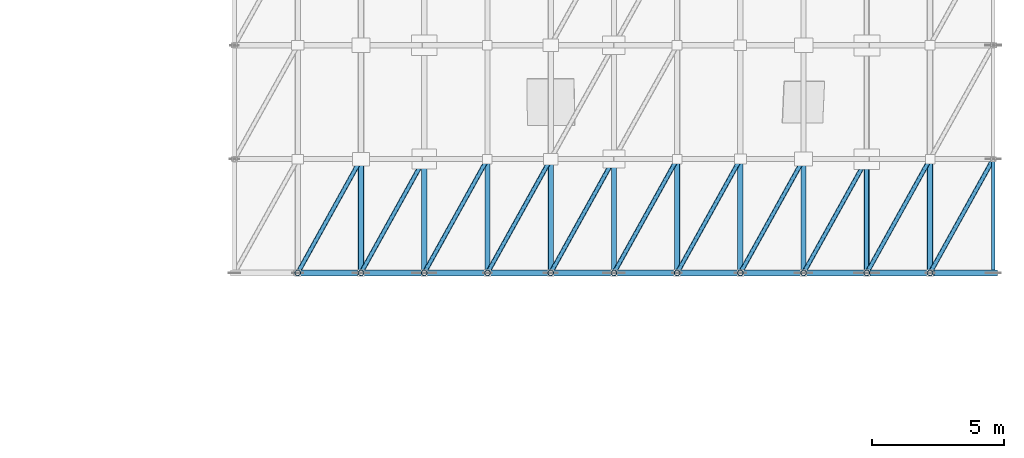
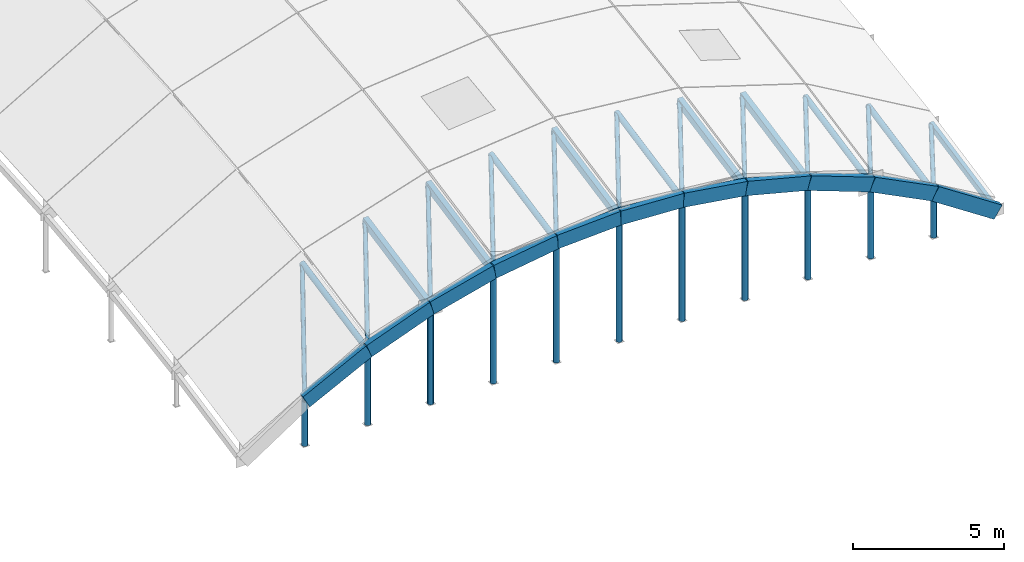
# One storey, part 9 of 35: 44 members.
"""IFC4 building model written with IfcOpenShell, lengths in metres."""

from ifc_helpers import new_model, si_unit, direction, frame, origin, origin_2d, place, context, subcontext, project, spatial, rectangle, hollow_rectangle, hollow_circle, extrude, material, material_profile, profile_set, type_object, element, save


model = new_model("IFC4")

# Units and contexts
model_context = context("Model", 3, precision=1e-05, world=origin(), true_north=direction((0.0, 1.0)))
body_context = subcontext(model_context, "Body", "Model", "MODEL_VIEW")
ifc_project = project(units=[si_unit("LENGTHUNIT", "METRE"), si_unit("AREAUNIT", "SQUARE_METRE"), si_unit("VOLUMEUNIT", "CUBIC_METRE"), si_unit("PLANEANGLEUNIT", "RADIAN"), si_unit("MASSUNIT", "GRAM", prefix="KILO")], contexts=[model_context])

# Site, building, storey
site_placement = place(None, origin())
site = spatial("IfcSite", under=ifc_project, at=site_placement, CompositionType="ELEMENT")
building_placement = place(site_placement, origin())
building = spatial("IfcBuilding", under=site, at=building_placement, Name="Zarrinpeak Specialist Clinic", CompositionType="ELEMENT")
storey_placement = place(building_placement, frame((0.0, 0.0, 31.60009765625)))
storey = spatial("IfcBuildingStorey", under=building, at=storey_placement, Name="RF", CompositionType="ELEMENT", Elevation=31.60009765625)

# Members
ifc_material_1 = material(Name="Steel S355", Category="steel")
ifc_material_profile_1 = material_profile(ifc_material_1, hollow_circle(Radius=0.084228515625, WallThickness=0.008056640625, at=origin_2d()), Name="CHS 168.3x8.0")
ifc_profile_set_1 = profile_set([ifc_material_profile_1], Name="Steel S355")
member_type_1 = type_object("IfcMemberType", Name="MB-BR168", PredefinedType="BRACE", material=ifc_profile_set_1)
member_1_placement = place(storey_placement, frame((96.0, 28.800048828125, -16.015380859375), z_axis=(0.44773218823, 0.805963486342, 0.387245072669), x_axis=(-0.874168927292, 0.485621958479, 0.0)))
element("IfcMember", 1, at=member_1_placement, inside=storey, type_object=member_type_1, Name="V3 Gridshell Diagonal Brace GS-DIAG-011", PredefinedType="BRACE", context=body_context, shape_type="SweptSolid", body=[
    extrude(hollow_circle(Radius=0.084228515625, WallThickness=0.008056640625, at=origin_2d()), origin(), (0.0, 0.0, 1.0), 5.360107421875),
])
member_2_placement = place(storey_placement, frame((98.39990234375, 28.800048828125, -14.8037109375), z_axis=(0.457448279603, 0.823369678322, 0.335862240075), x_axis=(-0.874147955046, 0.485659708735, 0.0)))
element("IfcMember", 2, at=member_2_placement, inside=storey, type_object=member_type_1, Name="V3 Gridshell Diagonal Brace GS-DIAG-015", PredefinedType="BRACE", context=body_context, shape_type="SweptSolid", body=[
    extrude(hollow_circle(Radius=0.084228515625, WallThickness=0.008056640625, at=origin_2d()), origin(), (0.0, 0.0, 1.0), 5.246826171875),
])
member_3_placement = place(storey_placement, frame((100.800048828125, 28.800048828125, -13.905517578125), z_axis=(0.465088480955, 0.837206578891, 0.287711399053), x_axis=(-0.874168927292, 0.485621958479, 0.0)))
element("IfcMember", 3, at=member_3_placement, inside=storey, type_object=member_type_1, Name="V3 Gridshell Diagonal Brace GS-DIAG-019", PredefinedType="BRACE", context=body_context, shape_type="SweptSolid", body=[
    extrude(hollow_circle(Radius=0.084228515625, WallThickness=0.008056640625, at=origin_2d()), origin(), (0.0, 0.0, 1.0), 5.16015625),
])
member_4_placement = place(storey_placement, frame((103.199951171875, 28.800048828125, -13.284912109375), z_axis=(0.471315620501, 0.848329763479, 0.241243027399), x_axis=(-0.874147955046, 0.485659708735, 0.0)))
element("IfcMember", 4, at=member_4_placement, inside=storey, type_object=member_type_1, Name="V3 Gridshell Diagonal Brace GS-DIAG-023", PredefinedType="BRACE", context=body_context, shape_type="SweptSolid", body=[
    extrude(hollow_circle(Radius=0.084228515625, WallThickness=0.008056640625, at=origin_2d()), origin(), (0.0, 0.0, 1.0), 5.092529296875),
])
member_5_placement = place(storey_placement, frame((105.60009765625, 28.800048828125, -12.92041015625), z_axis=(0.476265643705, 0.857326608887, 0.19535127929), x_axis=(-0.874168927292, 0.485621958479, 0.0)))
element("IfcMember", 5, at=member_5_placement, inside=storey, type_object=member_type_1, Name="V3 Gridshell Diagonal Brace GS-DIAG-027", PredefinedType="BRACE", context=body_context, shape_type="SweptSolid", body=[
    extrude(hollow_circle(Radius=0.084228515625, WallThickness=0.008056640625, at=origin_2d()), origin(), (0.0, 0.0, 1.0), 5.0390625),
])
member_6_placement = place(storey_placement, frame((108.0, 28.800048828125, -12.800048828125), z_axis=(0.480215440931, 0.864436645704, 0.148803279051), x_axis=(-0.874168927292, 0.485621958479, 0.0)))
element("IfcMember", 6, at=member_6_placement, inside=storey, type_object=member_type_1, Name="V3 Gridshell Diagonal Brace GS-DIAG-037", PredefinedType="BRACE", context=body_context, shape_type="SweptSolid", body=[
    extrude(hollow_circle(Radius=0.084228515625, WallThickness=0.008056640625, at=origin_2d()), origin(), (0.0, 0.0, 1.0), 4.99755859375),
])
member_7_placement = place(storey_placement, frame((110.39990234375, 28.800048828125, -12.92041015625), z_axis=(0.483197810944, 0.869716739361, 0.100561765964), x_axis=(-0.874147955046, 0.485659708735, 0.0)))
element("IfcMember", 7, at=member_7_placement, inside=storey, type_object=member_type_1, Name="V3 Gridshell Diagonal Brace GS-DIAG-047", PredefinedType="BRACE", context=body_context, shape_type="SweptSolid", body=[
    extrude(hollow_circle(Radius=0.084228515625, WallThickness=0.008056640625, at=origin_2d()), origin(), (0.0, 0.0, 1.0), 4.96728515625),
])
member_8_placement = place(storey_placement, frame((112.800048828125, 28.800048828125, -13.284912109375), z_axis=(0.485033983383, 0.873110512305, 0.049194189362), x_axis=(-0.874168927292, 0.485621958479, 0.0)))
element("IfcMember", 8, at=member_8_placement, inside=storey, type_object=member_type_1, Name="V3 Gridshell Diagonal Brace GS-DIAG-051", PredefinedType="BRACE", context=body_context, shape_type="SweptSolid", body=[
    extrude(hollow_circle(Radius=0.084228515625, WallThickness=0.008056640625, at=origin_2d()), origin(), (0.0, 0.0, 1.0), 4.947998046875),
])
member_9_placement = place(storey_placement, frame((115.199951171875, 28.800048828125, -13.905517578125), z_axis=(0.485648093946, 0.874127049371, -0.00691595292), x_axis=(-0.874147955046, 0.485659708735, 0.0)))
element("IfcMember", 9, at=member_9_placement, inside=storey, type_object=member_type_1, Name="V3 Gridshell Diagonal Brace GS-DIAG-055", PredefinedType="BRACE", context=body_context, shape_type="SweptSolid", body=[
    extrude(hollow_circle(Radius=0.084228515625, WallThickness=0.008056640625, at=origin_2d()), origin(), (0.0, 0.0, 1.0), 4.942138671875),
])
member_10_placement = place(storey_placement, frame((117.60009765625, 28.800048828125, -14.8037109375), z_axis=(0.484423074732, 0.872010814586, -0.070224097812), x_axis=(-0.874168927292, 0.485621958479, 0.0)))
element("IfcMember", 10, at=member_10_placement, inside=storey, type_object=member_type_1, Name="V3 Gridshell Diagonal Brace GS-DIAG-059", PredefinedType="BRACE", context=body_context, shape_type="SweptSolid", body=[
    extrude(hollow_circle(Radius=0.084228515625, WallThickness=0.008056640625, at=origin_2d()), origin(), (0.0, 0.0, 1.0), 4.9541015625),
])
member_11_placement = place(storey_placement, frame((120.0, 28.800048828125, -16.015380859375), z_axis=(0.480538844038, 0.865018804197, -0.144308307996), x_axis=(-0.874168927292, 0.485621958479, 0.0)))
element("IfcMember", 11, at=member_11_placement, inside=storey, type_object=member_type_1, Name="V3 Gridshell Diagonal Brace GS-DIAG-063", PredefinedType="BRACE", context=body_context, shape_type="SweptSolid", body=[
    extrude(hollow_circle(Radius=0.084228515625, WallThickness=0.008056640625, at=origin_2d()), origin(), (0.0, 0.0, 1.0), 4.994140625),
])
ifc_material_profile_2 = material_profile(ifc_material_1, hollow_circle(Radius=0.109619140625, WallThickness=0.010009765625, at=origin_2d()), Name="CHS 219.1x10.0")
ifc_profile_set_2 = profile_set([ifc_material_profile_2], Name="Steel S355")
member_type_2 = type_object("IfcMemberType", Name="MB-GS-CH219", PredefinedType="USERDEFINED", material=ifc_profile_set_2)
for number, where, z_axis, x_axis, name in (
    (12, (98.39990234375, 28.800048828125, -14.8037109375), (0.0, 0.980580675691, 0.196116135138), (-1.0, 0.0, 0.0), "V3 Translational Gridshell Vault Steel Chord I02-J00"),
    (13, (105.60009765625, 28.800048828125, -12.92041015625), (0.0, 0.980580675691, 0.196116135138), (-1.0, 0.0, 0.0), "V3 Translational Gridshell Vault Steel Chord I05-J00"),
    (14, (110.39990234375, 28.800048828125, -12.92041015625), (0.0, 0.980580675691, 0.196116135138), (-1.0, 0.0, 0.0), "V3 Translational Gridshell Vault Steel Chord I07-J00"),
    (15, (117.60009765625, 28.800048828125, -14.8037109375), (0.0, 0.980580675691, 0.196116135138), (-1.0, 0.0, 0.0), "V3 Translational Gridshell Vault Steel Chord I10-J00"),
    (16, (120.0, 28.800048828125, -16.015380859375), (0.0, 0.980591331223, 0.19606284995), (-1.0, 0.0, 0.0), "V3 Translational Gridshell Vault Steel Chord I11-J00"),
):
    element("IfcMember", number, at=place(storey_placement, frame(where, z_axis=z_axis, x_axis=x_axis)), inside=storey, type_object=member_type_2, Name=name, ObjectType="ARCH_SEGMENT", PredefinedType="USERDEFINED", context=body_context, shape_type="SweptSolid", body=[
        extrude(hollow_circle(Radius=0.109619140625, WallThickness=0.010009765625, at=origin_2d()), origin(), (0.0, 0.0, 1.0), 4.405517578125),
    ])
ifc_material_2 = material(Name="Glulam GL28h", Category="wood")
ifc_material_profile_3 = material_profile(ifc_material_2, rectangle(XDim=0.219970703125, YDim=0.56005859375, at=origin_2d()), Name="GL28h 220x560")
ifc_profile_set_3 = profile_set([ifc_material_profile_3], Name="Glulam GL28h")
member_type_3 = type_object("IfcMemberType", Name="MB-GS-GL560", PredefinedType="USERDEFINED", material=ifc_profile_set_3)
member_12_placement = place(storey_placement, frame((96.0, 28.800048828125, -16.015380859375), z_axis=(0.892676812819, 0.0, 0.450697357276), x_axis=(0.0, 1.0, 0.0)))
element("IfcMember", 17, at=member_12_placement, inside=storey, type_object=member_type_3, Name="V3 Translational Gridshell Vault Glulam Arch Rib J00-01", ObjectType="ARCH_SEGMENT", PredefinedType="USERDEFINED", context=body_context, shape_type="SweptSolid", body=[
    extrude(rectangle(XDim=0.219970703125, YDim=0.56005859375, at=origin_2d()), origin(), (0.0, 0.0, 1.0), 2.6884765625),
])
member_13_placement = place(storey_placement, frame((98.39990234375, 28.800048828125, -14.8037109375), z_axis=(0.936567780468, 0.0, 0.350486508427), x_axis=(0.0, 1.0, 0.0)))
element("IfcMember", 18, at=member_13_placement, inside=storey, type_object=member_type_3, Name="V3 Translational Gridshell Vault Glulam Arch Rib J00-02", ObjectType="ARCH_SEGMENT", PredefinedType="USERDEFINED", context=body_context, shape_type="SweptSolid", body=[
    extrude(rectangle(XDim=0.219970703125, YDim=0.56005859375, at=origin_2d()), origin(), (0.0, 0.0, 1.0), 2.562744140625),
])
member_14_placement = place(storey_placement, frame((100.800048828125, 28.800048828125, -13.905517578125), z_axis=(0.96815267419, 0.0, 0.250360538941), x_axis=(0.0, 1.0, 0.0)))
element("IfcMember", 19, at=member_14_placement, inside=storey, type_object=member_type_3, Name="V3 Translational Gridshell Vault Glulam Arch Rib J00-03", ObjectType="ARCH_SEGMENT", PredefinedType="USERDEFINED", context=body_context, shape_type="SweptSolid", body=[
    extrude(rectangle(XDim=0.219970703125, YDim=0.56005859375, at=origin_2d()), origin(), (0.0, 0.0, 1.0), 2.478759765625),
])
member_15_placement = place(storey_placement, frame((103.199951171875, 28.800048828125, -13.284912109375), z_axis=(0.988663989346, 0.0, 0.150144983836), x_axis=(0.0, 1.0, 0.0)))
element("IfcMember", 20, at=member_15_placement, inside=storey, type_object=member_type_3, Name="V3 Translational Gridshell Vault Glulam Arch Rib J00-04", ObjectType="ARCH_SEGMENT", PredefinedType="USERDEFINED", context=body_context, shape_type="SweptSolid", body=[
    extrude(rectangle(XDim=0.219970703125, YDim=0.56005859375, at=origin_2d()), origin(), (0.0, 0.0, 1.0), 2.427734375),
])
for number, where, z_axis, x_axis, name in (
    (21, (105.60009765625, 28.800048828125, -12.92041015625), (0.998744726183, 0.0, 0.050089638861), (0.0, 1.0, 0.0), "V3 Translational Gridshell Vault Glulam Arch Rib J00-05"),
    (22, (108.0, 28.800048828125, -12.800048828125), (0.998744726183, 0.0, -0.050089638861), (0.0, 1.0, 0.0), "V3 Translational Gridshell Vault Glulam Arch Rib J00-06"),
):
    element("IfcMember", number, at=place(storey_placement, frame(where, z_axis=z_axis, x_axis=x_axis)), inside=storey, type_object=member_type_3, Name=name, ObjectType="ARCH_SEGMENT", PredefinedType="USERDEFINED", context=body_context, shape_type="SweptSolid", body=[
        extrude(rectangle(XDim=0.219970703125, YDim=0.56005859375, at=origin_2d()), origin(), (0.0, 0.0, 1.0), 2.40283203125),
    ])
member_16_placement = place(storey_placement, frame((110.39990234375, 28.800048828125, -12.92041015625), z_axis=(0.988663989346, 0.0, -0.150144983836), x_axis=(0.0, 1.0, 0.0)))
element("IfcMember", 23, at=member_16_placement, inside=storey, type_object=member_type_3, Name="V3 Translational Gridshell Vault Glulam Arch Rib J00-07", ObjectType="ARCH_SEGMENT", PredefinedType="USERDEFINED", context=body_context, shape_type="SweptSolid", body=[
    extrude(rectangle(XDim=0.219970703125, YDim=0.56005859375, at=origin_2d()), origin(), (0.0, 0.0, 1.0), 2.427734375),
])
member_17_placement = place(storey_placement, frame((112.800048828125, 28.800048828125, -13.284912109375), z_axis=(0.96815267419, 0.0, -0.250360538941), x_axis=(0.0, 1.0, 0.0)))
element("IfcMember", 24, at=member_17_placement, inside=storey, type_object=member_type_3, Name="V3 Translational Gridshell Vault Glulam Arch Rib J00-08", ObjectType="ARCH_SEGMENT", PredefinedType="USERDEFINED", context=body_context, shape_type="SweptSolid", body=[
    extrude(rectangle(XDim=0.219970703125, YDim=0.56005859375, at=origin_2d()), origin(), (0.0, 0.0, 1.0), 2.478759765625),
])
member_18_placement = place(storey_placement, frame((115.199951171875, 28.800048828125, -13.905517578125), z_axis=(0.936567780468, 0.0, -0.350486508427), x_axis=(0.0, 1.0, 0.0)))
element("IfcMember", 25, at=member_18_placement, inside=storey, type_object=member_type_3, Name="V3 Translational Gridshell Vault Glulam Arch Rib J00-09", ObjectType="ARCH_SEGMENT", PredefinedType="USERDEFINED", context=body_context, shape_type="SweptSolid", body=[
    extrude(rectangle(XDim=0.219970703125, YDim=0.56005859375, at=origin_2d()), origin(), (0.0, 0.0, 1.0), 2.562744140625),
])
member_19_placement = place(storey_placement, frame((117.60009765625, 28.800048828125, -14.8037109375), z_axis=(0.892676812819, 0.0, -0.450697357276), x_axis=(0.0, 1.0, 0.0)))
element("IfcMember", 26, at=member_19_placement, inside=storey, type_object=member_type_3, Name="V3 Translational Gridshell Vault Glulam Arch Rib J00-10", ObjectType="ARCH_SEGMENT", PredefinedType="USERDEFINED", context=body_context, shape_type="SweptSolid", body=[
    extrude(rectangle(XDim=0.219970703125, YDim=0.56005859375, at=origin_2d()), origin(), (0.0, 0.0, 1.0), 2.6884765625),
])
member_20_placement = place(storey_placement, frame((120.0, 28.800048828125, -16.015380859375), z_axis=(0.834484495814, 0.0, -0.55103142038), x_axis=(0.0, 1.0, 0.0)))
element("IfcMember", 27, at=member_20_placement, inside=storey, type_object=member_type_3, Name="V3 Translational Gridshell Vault Glulam Arch Rib J00-11", ObjectType="ARCH_SEGMENT", PredefinedType="USERDEFINED", context=body_context, shape_type="SweptSolid", body=[
    extrude(rectangle(XDim=0.219970703125, YDim=0.56005859375, at=origin_2d()), origin(), (0.0, 0.0, 1.0), 2.8759765625),
])
ifc_material_profile_4 = material_profile(ifc_material_1, hollow_rectangle(XDim=0.14990234375, YDim=0.25, WallThickness=0.010009765625, at=origin_2d()), Name="RHS 250x150x10.0")
ifc_profile_set_4 = profile_set([ifc_material_profile_4], Name="Steel S355")
member_type_4 = type_object("IfcMemberType", Name="MB-GS-RH250", PredefinedType="USERDEFINED", material=ifc_profile_set_4)
member_21_placement = place(storey_placement, frame((122.39990234375, 28.800048828125, -17.60009765625), z_axis=(0.0, 0.980580675691, 0.196116135138), x_axis=(-1.0, 0.0, 0.0)))
element("IfcMember", 28, at=member_21_placement, inside=storey, type_object=member_type_4, Name="V3 Translational Gridshell Vault Steel Chord I12-J00", ObjectType="ARCH_SEGMENT", PredefinedType="USERDEFINED", context=body_context, shape_type="SweptSolid", body=[
    extrude(hollow_rectangle(XDim=0.14990234375, YDim=0.25, WallThickness=0.010009765625, at=origin_2d()), origin(), (0.0, 0.0, 1.0), 4.405517578125),
])
ifc_material_profile_5 = material_profile(ifc_material_1, hollow_rectangle(XDim=0.199951171875, YDim=0.300048828125, WallThickness=0.012451171875, at=origin_2d()), Name="RHS 300x200x12.5")
ifc_profile_set_5 = profile_set([ifc_material_profile_5], Name="Steel S355")
member_type_5 = type_object("IfcMemberType", Name="MB-GS-RH300", PredefinedType="USERDEFINED", material=ifc_profile_set_5)
for number, where, z_axis, x_axis, name in (
    (29, (100.800048828125, 28.800048828125, -13.905517578125), (0.0, 0.980580675691, 0.196116135138), (-1.0, 0.0, 0.0), "V3 Translational Gridshell Vault Steel Chord I03-J00"),
    (30, (103.199951171875, 28.800048828125, -13.284912109375), (0.0, 0.980580675691, 0.196116135138), (-1.0, 0.0, 0.0), "V3 Translational Gridshell Vault Steel Chord I04-J00"),
    (31, (108.0, 28.800048828125, -12.800048828125), (0.0, 0.980580675691, 0.196116135138), (-1.0, 0.0, 0.0), "V3 Translational Gridshell Vault Steel Chord I06-J00"),
    (32, (112.800048828125, 28.800048828125, -13.284912109375), (0.0, 0.980580675691, 0.196116135138), (-1.0, 0.0, 0.0), "V3 Translational Gridshell Vault Steel Chord I08-J00"),
    (33, (115.199951171875, 28.800048828125, -13.905517578125), (0.0, 0.980580675691, 0.196116135138), (-1.0, 0.0, 0.0), "V3 Translational Gridshell Vault Steel Chord I09-J00"),
):
    element("IfcMember", number, at=place(storey_placement, frame(where, z_axis=z_axis, x_axis=x_axis)), inside=storey, type_object=member_type_5, Name=name, ObjectType="ARCH_SEGMENT", PredefinedType="USERDEFINED", context=body_context, shape_type="SweptSolid", body=[
        extrude(hollow_rectangle(XDim=0.199951171875, YDim=0.300048828125, WallThickness=0.012451171875, at=origin_2d()), origin(), (0.0, 0.0, 1.0), 4.405517578125),
    ])
ifc_material_profile_6 = material_profile(ifc_material_1, hollow_circle(Radius=0.109619140625, WallThickness=0.010009765625, at=origin_2d()), Name="CHS 219.1x10.0")
ifc_profile_set_6 = profile_set([ifc_material_profile_6], Name="Steel S355")
member_type_6 = type_object("IfcMemberType", Name="MB-PST219", PredefinedType="BRACE", material=ifc_profile_set_6)
member_22_placement = place(storey_placement, frame((96.0, 28.800048828125, -17.800048828125), z_axis=(0.0, 0.0, 1.0), x_axis=(1.0, 0.0, 0.0)))
element("IfcMember", 34, at=member_22_placement, inside=storey, type_object=member_type_6, Name="V3 Gridshell Gable Arch Mullion Post 0-1", PredefinedType="BRACE", context=body_context, shape_type="SweptSolid", body=[
    extrude(hollow_circle(Radius=0.109619140625, WallThickness=0.010009765625, at=origin_2d()), origin(), (0.0, 0.0, 1.0), 1.78466796875),
])
member_23_placement = place(storey_placement, frame((98.39990234375, 28.800048828125, -17.800048828125), z_axis=(0.0, 0.0, 1.0), x_axis=(1.0, 0.0, 0.0)))
element("IfcMember", 35, at=member_23_placement, inside=storey, type_object=member_type_6, Name="V3 Gridshell Gable Arch Mullion Post 0-2", PredefinedType="BRACE", context=body_context, shape_type="SweptSolid", body=[
    extrude(hollow_circle(Radius=0.109619140625, WallThickness=0.010009765625, at=origin_2d()), origin(), (0.0, 0.0, 1.0), 2.996337890625),
])
member_24_placement = place(storey_placement, frame((100.800048828125, 28.800048828125, -17.800048828125), z_axis=(0.0, 0.0, 1.0), x_axis=(1.0, 0.0, 0.0)))
element("IfcMember", 36, at=member_24_placement, inside=storey, type_object=member_type_6, Name="V3 Gridshell Gable Arch Mullion Post 0-3", PredefinedType="BRACE", context=body_context, shape_type="SweptSolid", body=[
    extrude(hollow_circle(Radius=0.109619140625, WallThickness=0.010009765625, at=origin_2d()), origin(), (0.0, 0.0, 1.0), 3.89453125),
])
member_25_placement = place(storey_placement, frame((103.199951171875, 28.800048828125, -17.800048828125), z_axis=(0.0, 0.0, 1.0), x_axis=(1.0, 0.0, 0.0)))
element("IfcMember", 37, at=member_25_placement, inside=storey, type_object=member_type_6, Name="V3 Gridshell Gable Arch Mullion Post 0-4", PredefinedType="BRACE", context=body_context, shape_type="SweptSolid", body=[
    extrude(hollow_circle(Radius=0.109619140625, WallThickness=0.010009765625, at=origin_2d()), origin(), (0.0, 0.0, 1.0), 4.51513671875),
])
member_26_placement = place(storey_placement, frame((105.60009765625, 28.800048828125, -17.800048828125), z_axis=(0.0, 0.0, 1.0), x_axis=(1.0, 0.0, 0.0)))
element("IfcMember", 38, at=member_26_placement, inside=storey, type_object=member_type_6, Name="V3 Gridshell Gable Arch Mullion Post 0-5", PredefinedType="BRACE", context=body_context, shape_type="SweptSolid", body=[
    extrude(hollow_circle(Radius=0.109619140625, WallThickness=0.010009765625, at=origin_2d()), origin(), (0.0, 0.0, 1.0), 4.879638671875),
])
member_27_placement = place(storey_placement, frame((108.0, 28.800048828125, -17.800048828125), z_axis=(0.0, 0.0, 1.0), x_axis=(1.0, 0.0, 0.0)))
element("IfcMember", 39, at=member_27_placement, inside=storey, type_object=member_type_6, Name="V3 Gridshell Gable Arch Mullion Post 0-6", PredefinedType="BRACE", context=body_context, shape_type="SweptSolid", body=[
    extrude(hollow_circle(Radius=0.109619140625, WallThickness=0.010009765625, at=origin_2d()), origin(), (0.0, 0.0, 1.0), 5.0),
])
member_28_placement = place(storey_placement, frame((110.39990234375, 28.800048828125, -17.800048828125), z_axis=(0.0, 0.0, 1.0), x_axis=(1.0, 0.0, 0.0)))
element("IfcMember", 40, at=member_28_placement, inside=storey, type_object=member_type_6, Name="V3 Gridshell Gable Arch Mullion Post 0-7", PredefinedType="BRACE", context=body_context, shape_type="SweptSolid", body=[
    extrude(hollow_circle(Radius=0.109619140625, WallThickness=0.010009765625, at=origin_2d()), origin(), (0.0, 0.0, 1.0), 4.879638671875),
])
member_29_placement = place(storey_placement, frame((112.800048828125, 28.800048828125, -17.800048828125), z_axis=(0.0, 0.0, 1.0), x_axis=(1.0, 0.0, 0.0)))
element("IfcMember", 41, at=member_29_placement, inside=storey, type_object=member_type_6, Name="V3 Gridshell Gable Arch Mullion Post 0-8", PredefinedType="BRACE", context=body_context, shape_type="SweptSolid", body=[
    extrude(hollow_circle(Radius=0.109619140625, WallThickness=0.010009765625, at=origin_2d()), origin(), (0.0, 0.0, 1.0), 4.51513671875),
])
member_30_placement = place(storey_placement, frame((115.199951171875, 28.800048828125, -17.800048828125), z_axis=(0.0, 0.0, 1.0), x_axis=(1.0, 0.0, 0.0)))
element("IfcMember", 42, at=member_30_placement, inside=storey, type_object=member_type_6, Name="V3 Gridshell Gable Arch Mullion Post 0-9", PredefinedType="BRACE", context=body_context, shape_type="SweptSolid", body=[
    extrude(hollow_circle(Radius=0.109619140625, WallThickness=0.010009765625, at=origin_2d()), origin(), (0.0, 0.0, 1.0), 3.89453125),
])
member_31_placement = place(storey_placement, frame((117.60009765625, 28.800048828125, -17.800048828125), z_axis=(0.0, 0.0, 1.0), x_axis=(1.0, 0.0, 0.0)))
element("IfcMember", 43, at=member_31_placement, inside=storey, type_object=member_type_6, Name="V3 Gridshell Gable Arch Mullion Post 0-10", PredefinedType="BRACE", context=body_context, shape_type="SweptSolid", body=[
    extrude(hollow_circle(Radius=0.109619140625, WallThickness=0.010009765625, at=origin_2d()), origin(), (0.0, 0.0, 1.0), 2.996337890625),
])
member_32_placement = place(storey_placement, frame((120.0, 28.800048828125, -17.800048828125), z_axis=(0.0, 0.0, 1.0), x_axis=(1.0, 0.0, 0.0)))
element("IfcMember", 44, at=member_32_placement, inside=storey, type_object=member_type_6, Name="V3 Gridshell Gable Arch Mullion Post 0-11", PredefinedType="BRACE", context=body_context, shape_type="SweptSolid", body=[
    extrude(hollow_circle(Radius=0.109619140625, WallThickness=0.010009765625, at=origin_2d()), origin(), (0.0, 0.0, 1.0), 1.78466796875),
])

save(model, "model.ifc")
